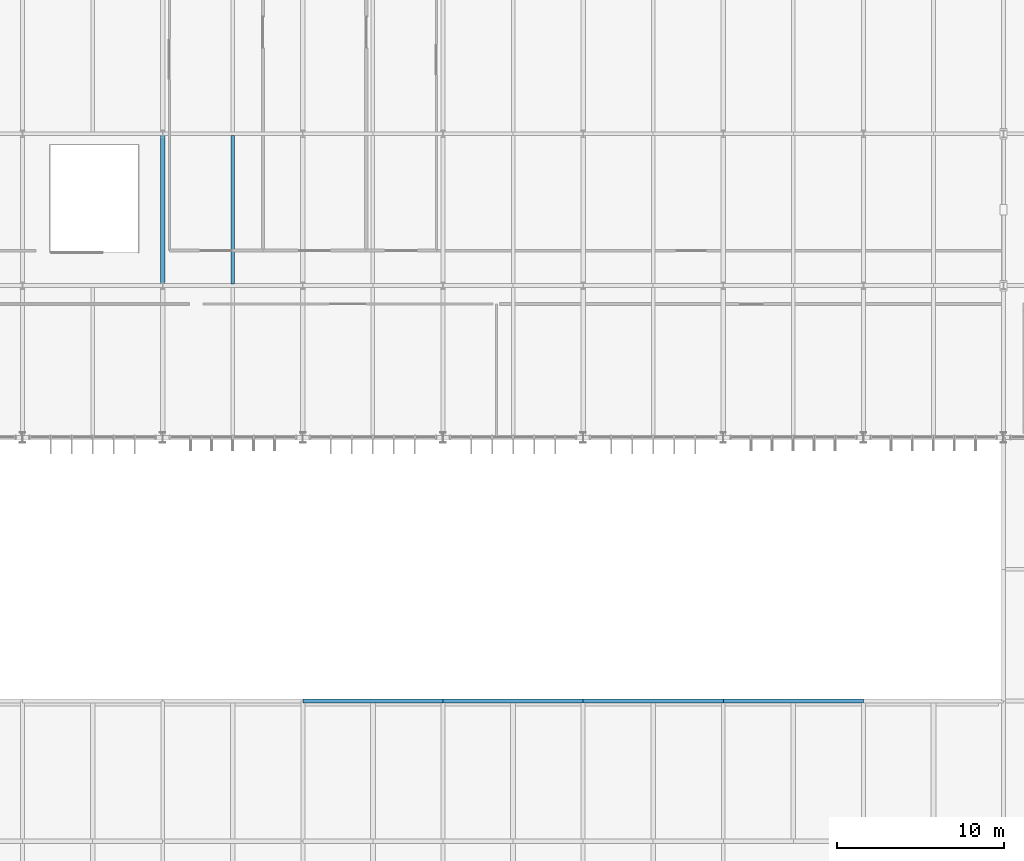
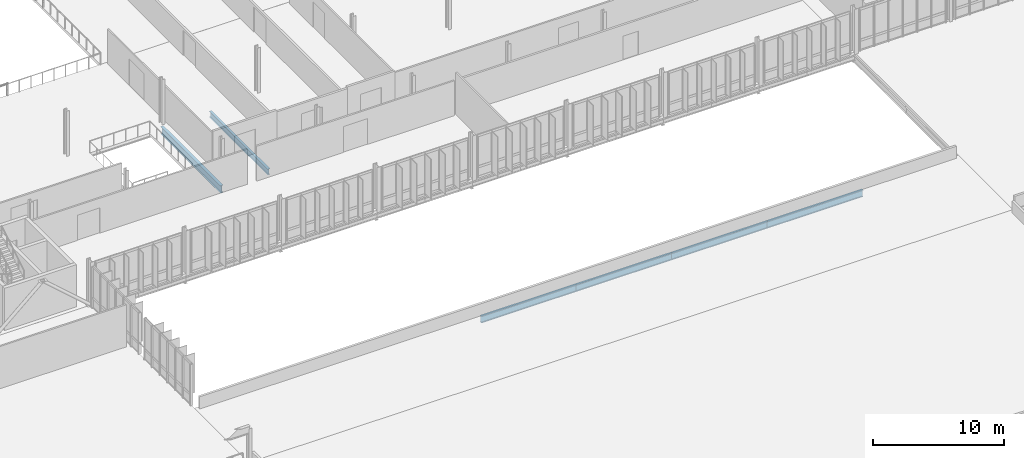
# One storey, part 34 of 107: 6 beams.
"""IFC4 building model written with IfcOpenShell, lengths in metres."""

from ifc_helpers import new_model, si_unit, derived_unit, direction, frame, origin, origin_2d, place, context, subcontext, project, spatial, i_section, extrude, material, material_profile, profile_set, type_object, element, save


model = new_model("IFC4")

# Units and contexts
model_context = context("Model", 3, precision=1e-05, world=origin(), true_north=direction((0.0, 1.0)))
body_context = subcontext(model_context, "Body", "Model", "MODEL_VIEW")
ifc_project = project(units=[si_unit("LENGTHUNIT", "METRE"), si_unit("AREAUNIT", "SQUARE_METRE"), si_unit("VOLUMEUNIT", "CUBIC_METRE"), si_unit("PLANEANGLEUNIT", "RADIAN"), si_unit("MASSUNIT", "GRAM", prefix="KILO"), derived_unit("THERMALTRANSMITTANCEUNIT", [(si_unit("MASSUNIT", "GRAM", prefix="KILO"), 1), (si_unit("TIMEUNIT", "SECOND"), -3), (si_unit("THERMODYNAMICTEMPERATUREUNIT", "KELVIN"), -1)])], contexts=[model_context])

# Site, building, storey
site_placement = place(None, origin())
site = spatial("IfcSite", under=ifc_project, at=site_placement, CompositionType="ELEMENT")
building_placement = place(site_placement, origin())
building = spatial("IfcBuilding", under=site, at=building_placement, Name="Makaiwela Harbour Ferry Terminal", CompositionType="ELEMENT")
storey_placement = place(building_placement, frame((0.0, 0.0, 9.60009765625)))
storey = spatial("IfcBuildingStorey", under=building, at=storey_placement, Name="L02", CompositionType="ELEMENT", Elevation=9.60009765625)

# Beams
ifc_material = material(Name="Steel ASTM A992 Grade 50", Category="steel")
ifc_material_profile_1 = material_profile(ifc_material, i_section(OverallWidth=0.2099609375, OverallDepth=0.537109375, WebThickness=0.010986328125, FlangeThickness=0.017333984375, at=origin_2d()), Name="W21X68")
ifc_profile_set_1 = profile_set([ifc_material_profile_1], Name="Steel ASTM A992 Grade 50")
beam_type_1 = type_object("IfcBeamType", Name="STR-BM-W21X68", PredefinedType="BEAM", material=ifc_profile_set_1)
beam_1_placement = place(storey_placement, frame((92.39990234375, 58.596435546875, -0.528564453125), z_axis=(0.0, 1.0, 0.0), x_axis=(-1.0, 0.0, 0.0)))
element("IfcBeam", 1, at=beam_1_placement, inside=storey, type_object=beam_type_1, Name="Secondary floor beam 1490", PredefinedType="BEAM", context=body_context, shape_type="SweptSolid", body=[
    extrude(i_section(OverallWidth=0.2099609375, OverallDepth=0.537109375, WebThickness=0.010986328125, FlangeThickness=0.017333984375, at=origin_2d()), origin(), (0.0, 0.0, 1.0), 8.906982421875),
])
ifc_material_profile_2 = material_profile(ifc_material, i_section(OverallWidth=0.22900390625, OverallDepth=0.612060546875, WebThickness=0.011962890625, FlangeThickness=0.01953125, at=origin_2d()), Name="W24X84")
ifc_profile_set_2 = profile_set([ifc_material_profile_2], Name="Steel ASTM A992 Grade 50")
beam_type_2 = type_object("IfcBeamType", Name="STR-GRD-W24X84", PredefinedType="USERDEFINED", material=ifc_profile_set_2)
for number, where, z_axis, x_axis, name in (
    (2, (96.60009765625, 33.60009765625, -0.546142578125), (1.0, 0.0, 0.0), (0.0, 1.0, 0.0), "Primary X girder 1253"),
    (3, (105.0, 33.60009765625, -0.546142578125), (1.0, 0.0, 0.0), (0.0, 1.0, 0.0), "Primary X girder 1254"),
):
    element("IfcBeam", number, at=place(storey_placement, frame(where, z_axis=z_axis, x_axis=x_axis)), inside=storey, type_object=beam_type_2, Name=name, ObjectType="GIRDER", PredefinedType="USERDEFINED", context=body_context, shape_type="SweptSolid", body=[
        extrude(i_section(OverallWidth=0.22900390625, OverallDepth=0.612060546875, WebThickness=0.011962890625, FlangeThickness=0.01953125, at=origin_2d()), origin(), (0.0, 0.0, 1.0), 8.39990234375),
    ])
beam_2_placement = place(storey_placement, frame((113.39990234375, 33.60009765625, -0.546142578125), z_axis=(1.0, 0.0, 0.0), x_axis=(0.0, 1.0, 0.0)))
element("IfcBeam", 4, at=beam_2_placement, inside=storey, type_object=beam_type_2, Name="Primary X girder 1255", ObjectType="GIRDER", PredefinedType="USERDEFINED", context=body_context, shape_type="SweptSolid", body=[
    extrude(i_section(OverallWidth=0.22900390625, OverallDepth=0.612060546875, WebThickness=0.011962890625, FlangeThickness=0.01953125, at=origin_2d()), origin(), (0.0, 0.0, 1.0), 8.400146484375),
])
beam_3_placement = place(storey_placement, frame((121.800048828125, 33.60009765625, -0.546142578125), z_axis=(1.0, 0.0, 0.0), x_axis=(0.0, 1.0, 0.0)))
element("IfcBeam", 5, at=beam_3_placement, inside=storey, type_object=beam_type_2, Name="Primary X girder 1256", ObjectType="GIRDER", PredefinedType="USERDEFINED", context=body_context, shape_type="SweptSolid", body=[
    extrude(i_section(OverallWidth=0.22900390625, OverallDepth=0.612060546875, WebThickness=0.011962890625, FlangeThickness=0.01953125, at=origin_2d()), origin(), (0.0, 0.0, 1.0), 8.39990234375),
])
ifc_material_profile_3 = material_profile(ifc_material, i_section(OverallWidth=0.256103515625, OverallDepth=0.693115234375, WebThickness=0.014404296875, FlangeThickness=0.023681640625, at=origin_2d()), Name="W27X114")
ifc_profile_set_3 = profile_set([ifc_material_profile_3], Name="Steel ASTM A992 Grade 50")
beam_type_3 = type_object("IfcBeamType", Name="STR-GRD-W27X114", PredefinedType="USERDEFINED", material=ifc_profile_set_3)
beam_4_placement = place(storey_placement, frame((88.199951171875, 58.5, -0.606689453125), z_axis=(0.0, 1.0, 0.0), x_axis=(-1.0, 0.0, 0.0)))
element("IfcBeam", 6, at=beam_4_placement, inside=storey, type_object=beam_type_3, Name="Primary Y girder 1385", ObjectType="GIRDER", PredefinedType="USERDEFINED", context=body_context, shape_type="SweptSolid", body=[
    extrude(i_section(OverallWidth=0.256103515625, OverallDepth=0.693115234375, WebThickness=0.014404296875, FlangeThickness=0.023681640625, at=origin_2d()), origin(), (0.0, 0.0, 1.0), 9.10009765625),
])

save(model, "model.ifc")
